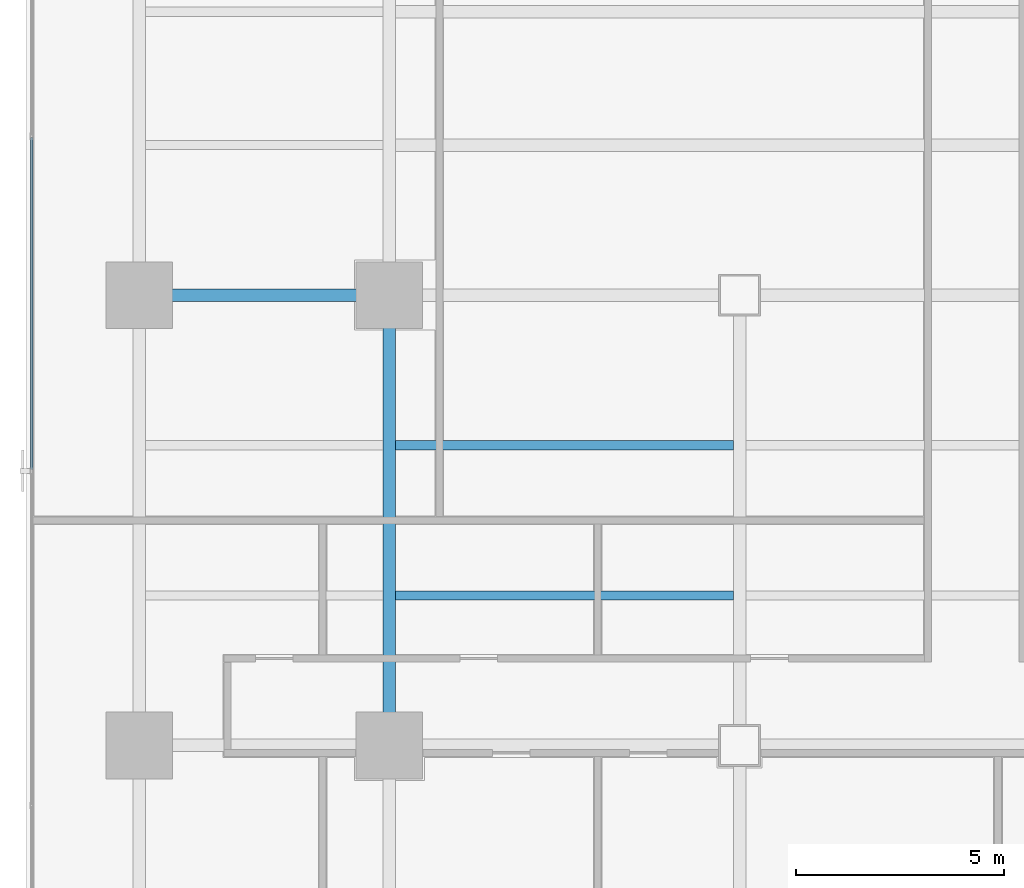
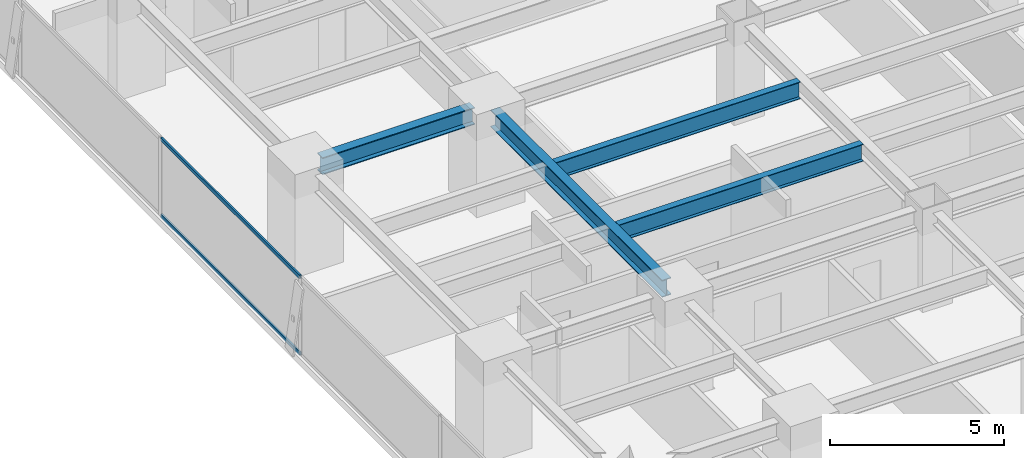
# One storey, part 9 of 34: 4 beams, 2 members, 1 element without a shape of its own.
"""IFC4 building model written with IfcOpenShell, lengths in metres."""

import ifcopenshell
import ifcopenshell.guid

model = None  # the IFC model being written
_history = None  # IfcOwnerHistory: only IFC2X3 demands one
_inside = {}  # id of a spatial element -> (the spatial element, [elements in it])
_under = {}  # id of a project, library or spatial element -> (it, [spatial elements below it])
_declared = {}  # id of a project -> (the project, [libraries it declares])
_typed = {}  # id of a type object -> (the type object, [elements of that type])
_made_of = {}  # id of a material, layer set ... -> (it, [elements and type objects made of it])


def new_model(schema):
    """Start an empty IFC model of exactly this schema.

    Asked for "IFC4X3", IfcOpenShell would pick the latest addendum, in which some entities
    have other attributes; the version numbers below select the first issue.
    IFC2X3 requires an IfcOwnerHistory on every rooted entity: one is made here for all.
    """
    global model, _history
    if schema == "IFC4X3":
        model = ifcopenshell.file(schema_version=(4, 3, 0, 0))
    else:
        model = ifcopenshell.file(schema=schema)
    _inside.clear()
    _under.clear()
    _declared.clear()
    _typed.clear()
    _made_of.clear()
    _history = None
    if model.schema == "IFC2X3":
        org = make("IfcOrganization", Name="unknown")
        user = make(
            "IfcPersonAndOrganization",
            ThePerson=make("IfcPerson", FamilyName="unknown"),
            TheOrganization=org,
        )
        app = make(
            "IfcApplication",
            ApplicationDeveloper=org,
            Version="unknown",
            ApplicationFullName="unknown",
            ApplicationIdentifier="unknown",
        )
        _history = make(
            "IfcOwnerHistory",
            OwningUser=user,
            OwningApplication=app,
            ChangeAction="ADDED",
            CreationDate=0,
        )
    return model


def make(cls, **values):
    """One entity of the class cls with the attributes given. An attribute that is None is left unset."""
    return model.create_entity(
        cls, **{name: value for name, value in values.items() if value is not None}
    )


def rooted(cls, **values):
    """An entity with a GlobalId (a new one), such as an element, a storey or a relation."""
    return make(cls, GlobalId=ifcopenshell.guid.new(), OwnerHistory=_history, **values)


def si_unit(unit_type, name, prefix=None):
    """IfcSIUnit, for example si_unit("LENGTHUNIT", "METRE", prefix="MILLI")."""
    return make("IfcSIUnit", UnitType=unit_type, Prefix=prefix, Name=name)


def assignment(units):
    """IfcUnitAssignment: the units of a project."""
    return None if units is None else make("IfcUnitAssignment", Units=units)


def point(xyz):
    """IfcCartesianPoint."""
    return None if xyz is None else make("IfcCartesianPoint", Coordinates=xyz)


def direction(xyz):
    """IfcDirection."""
    return None if xyz is None else make("IfcDirection", DirectionRatios=xyz)


def frame(location, z_axis=None, x_axis=None):
    """IfcAxis2Placement3D, a coordinate frame: its origin and axes. An axis left out is left unset."""
    return make(
        "IfcAxis2Placement3D",
        Location=point(location),
        Axis=direction(z_axis),
        RefDirection=direction(x_axis),
    )


def frame_2d(location, x_axis=None):
    """IfcAxis2Placement2D, a coordinate frame in the plane: its origin and x axis."""
    return make(
        "IfcAxis2Placement2D", Location=point(location), RefDirection=direction(x_axis)
    )


def origin():
    """The frame at (0, 0, 0) with its axes left unset."""
    return frame((0.0, 0.0, 0.0))


def origin_2d():
    """The frame at (0, 0) in the plane with its x axis left unset."""
    return frame_2d((0.0, 0.0))


def place(relative_to, where):
    """IfcLocalPlacement: puts the frame where relative to a parent placement (None: the world)."""
    return make(
        "IfcLocalPlacement", PlacementRelTo=relative_to, RelativePlacement=where
    )


def context(
    kind, dimensions, precision=None, world=None, true_north=None, identifier=None
):
    """IfcGeometricRepresentationContext, for example the 3D "Model" context."""
    return make(
        "IfcGeometricRepresentationContext",
        ContextIdentifier=identifier,
        ContextType=kind,
        CoordinateSpaceDimension=dimensions,
        Precision=precision,
        WorldCoordinateSystem=world,
        TrueNorth=true_north,
    )


def subcontext(parent, identifier, kind, view, scale=None):
    """IfcGeometricRepresentationSubContext, for example "Body" below "Model"."""
    return make(
        "IfcGeometricRepresentationSubContext",
        ContextIdentifier=identifier,
        ContextType=kind,
        ParentContext=parent,
        TargetScale=scale,
        TargetView=view,
    )


def project(units=None, contexts=None):
    """IfcProject with its units and contexts."""
    return rooted(
        "IfcProject",
        Name="project",
        RepresentationContexts=contexts,
        UnitsInContext=assignment(units),
    )


def spatial(cls, under=None, at=None, **own):
    """A site, building, storey or space (cls), placed at a placement, below another one or the project."""
    s = rooted(cls, ObjectPlacement=at, **own)
    if under is not None:
        _under.setdefault(under.id(), (under, []))[1].append(s)
    return s


def profile(cls, at=None, kind="AREA", **sizes):
    """A parametric profile (cls). Its sizes go by their IFC names, for example OverallWidth=200.0."""
    return make(cls, ProfileType=kind, Position=at, **sizes)


def hollow_rectangle(**sizes):
    """IfcRectangleHollowProfileDef."""
    return profile("IfcRectangleHollowProfileDef", **sizes)


def i_section(**sizes):
    """IfcIShapeProfileDef."""
    return profile("IfcIShapeProfileDef", **sizes)


def extrude(swept, where, along, depth):
    """IfcExtrudedAreaSolid: the profile swept, set in the frame where, extruded along a direction by depth."""
    return make(
        "IfcExtrudedAreaSolid",
        SweptArea=swept,
        Position=where,
        ExtrudedDirection=direction(along),
        Depth=depth,
    )


def shape(context_of_items, identifier, shape_type, items):
    """IfcShapeRepresentation: the items that make up one representation, for example the "Body"."""
    return make(
        "IfcShapeRepresentation",
        ContextOfItems=context_of_items,
        RepresentationIdentifier=identifier,
        RepresentationType=shape_type,
        Items=items,
    )


def source(mapping_origin, context_of_items, identifier, shape_type, items):
    """IfcRepresentationMap: a shape defined once, which mapped items show again and again."""
    return make(
        "IfcRepresentationMap",
        MappingOrigin=mapping_origin,
        MappedRepresentation=shape(context_of_items, identifier, shape_type, items),
    )


def transform(
    local_origin,
    x_axis=None,
    y_axis=None,
    z_axis=None,
    scale=None,
    scale2=None,
    scale3=None,
    uniform=True,
):
    """IfcCartesianTransformationOperator3D, or its non-uniform kind. x_axis, y_axis, z_axis: its Axis1, 2, 3."""
    if uniform:
        return make(
            "IfcCartesianTransformationOperator3D",
            Axis1=direction(x_axis),
            Axis2=direction(y_axis),
            LocalOrigin=point(local_origin),
            Scale=scale,
            Axis3=direction(z_axis),
        )
    return make(
        "IfcCartesianTransformationOperator3DnonUniform",
        Axis1=direction(x_axis),
        Axis2=direction(y_axis),
        LocalOrigin=point(local_origin),
        Scale=scale,
        Axis3=direction(z_axis),
        Scale2=scale2,
        Scale3=scale3,
    )


def mapped(mapping_source, mapping_target):
    """IfcMappedItem: shows the shape of a source again, moved by a transform."""
    return make(
        "IfcMappedItem", MappingSource=mapping_source, MappingTarget=mapping_target
    )


def material(Name=None, Category=None):
    """IfcMaterial."""
    return make("IfcMaterial", Name=Name, Category=Category)


def layer(
    of_material, thickness, ventilated=None, Name=None, Category=None, Priority=None
):
    """IfcMaterialLayer: one layer of a wall or slab, of a material (None: an air gap)."""
    return make(
        "IfcMaterialLayer",
        Material=of_material,
        LayerThickness=thickness,
        IsVentilated=ventilated,
        Name=Name,
        Category=Category,
        Priority=Priority,
    )


def layer_set(layers, Name=None):
    """IfcMaterialLayerSet."""
    return make("IfcMaterialLayerSet", MaterialLayers=layers, LayerSetName=Name)


def material_profile(
    of_material, cross_section, Name=None, Category=None, Priority=None
):
    """IfcMaterialProfile: a cross section and its material."""
    return make(
        "IfcMaterialProfile",
        Name=Name,
        Material=of_material,
        Profile=cross_section,
        Priority=Priority,
        Category=Category,
    )


def profile_set(profiles, Name=None, composite=None):
    """IfcMaterialProfileSet."""
    return make(
        "IfcMaterialProfileSet",
        Name=Name,
        MaterialProfiles=profiles,
        CompositeProfile=composite,
    )


def made_of(thing, what):
    """Note that an element or type object is made of a material, layer set ...; save() writes the relation."""
    if what is not None:
        _made_of.setdefault(what.id(), (what, []))[1].append(thing)
    return thing


def type_object(cls, material=None, **own):
    """A type object (cls), such as IfcWallType, which elements share."""
    return made_of(rooted(cls, **own), material)


def element(
    cls,
    number,
    at=None,
    inside=None,
    cuts=None,
    type_object=None,
    material=None,
    context=None,
    identifier="Body",
    shape_type=None,
    held_by="IfcProductDefinitionShape",
    body=None,
    shapes=None,
    **own,
):
    """One element of the class cls, such as IfcWall. Its Tag is "e" and its number.

    at: its placement. inside: the storey or other place that contains it. cuts: it is an
    opening in that element (IfcRelVoidsElement). A single representation is given by context,
    identifier, shape_type and body (its items); several are given by shapes. held_by: the class
    of the entity that holds the representations. save() writes the other relations.
    """
    e = rooted(cls, Tag="e%d" % number, ObjectPlacement=at, **own)
    if body is not None:
        shapes = [shape(context, identifier, shape_type, body)]
    if shapes is not None:
        e.Representation = make(held_by, Representations=shapes)
    if inside is not None:
        _inside.setdefault(inside.id(), (inside, []))[1].append(e)
    if cuts is not None:
        rooted(
            "IfcRelVoidsElement", RelatingBuildingElement=cuts, RelatedOpeningElement=e
        )
    if type_object is not None:
        _typed.setdefault(type_object.id(), (type_object, []))[1].append(e)
    return made_of(e, material)


def aggregate(whole, parts):
    """IfcRelAggregates: a whole, such as a stair, and the parts it consists of."""
    return rooted("IfcRelAggregates", RelatingObject=whole, RelatedObjects=parts)


def save(model, path):
    """Write the relations noted so far, then the file.

    IfcRelAggregates (storeys below a building ...), IfcRelContainedInSpatialStructure (elements
    in a storey), IfcRelDefinesByType, IfcRelAssociatesMaterial and IfcRelDeclares: one each for
    every whole, place, type object, material and project.
    """
    for whole, parts in _under.values():
        aggregate(whole, parts)
    for where, things in _inside.values():
        rooted(
            "IfcRelContainedInSpatialStructure",
            RelatedElements=things,
            RelatingStructure=where,
        )
    for kind, things in _typed.values():
        rooted("IfcRelDefinesByType", RelatedObjects=things, RelatingType=kind)
    for what, things in _made_of.values():
        rooted("IfcRelAssociatesMaterial", RelatedObjects=things, RelatingMaterial=what)
    for by, libraries in _declared.values():
        rooted("IfcRelDeclares", RelatingContext=by, RelatedDefinitions=libraries)
    model.write(path)


model = new_model("IFC4")

# Units and contexts
model_context = context("Model", 3, precision=1e-05, world=origin(), true_north=direction((0.0, 1.0)))
body_context = subcontext(model_context, "Body", "Model", "MODEL_VIEW")
ifc_project = project(units=[si_unit("LENGTHUNIT", "METRE"), si_unit("AREAUNIT", "SQUARE_METRE"), si_unit("VOLUMEUNIT", "CUBIC_METRE"), si_unit("PLANEANGLEUNIT", "RADIAN"), si_unit("MASSUNIT", "GRAM", prefix="KILO")], contexts=[model_context])

# Site, building, storey
site_placement = place(None, origin())
site = spatial("IfcSite", under=ifc_project, at=site_placement, CompositionType="ELEMENT")
building_placement = place(site_placement, origin())
building = spatial("IfcBuilding", under=site, at=building_placement, Name="Sumidabori Civic Tower", CompositionType="ELEMENT")
storey_placement = place(building_placement, frame((0.0, 0.0, 106.39990234375)))
storey = spatial("IfcBuildingStorey", under=building, at=storey_placement, Name="L27", CompositionType="ELEMENT", Elevation=106.39990234375)

# Beams
ifc_material_1 = material(Name="Steel SN490", Category="steel")
ifc_material_profile_1 = material_profile(ifc_material_1, i_section(OverallWidth=0.300048828125, OverallDepth=0.60009765625, WebThickness=0.015380859375, FlangeThickness=0.030029296875, at=origin_2d()), Name="HE 600 B")
ifc_profile_set_1 = profile_set([ifc_material_profile_1], Name="Steel SN490")
beam_type_1 = type_object("IfcBeamType", Name="BM-GIRD-600", PredefinedType="BEAM", material=ifc_profile_set_1)
shared_shape_1 = source(origin(), body_context, "Body", "SweptSolid", [
    extrude(i_section(OverallWidth=0.300048828125, OverallDepth=0.60009765625, WebThickness=0.015380859375, FlangeThickness=0.030029296875, at=origin_2d()), origin(), (0.0, 0.0, 1.0), 5.0400390625),
])
beam_1_placement = place(storey_placement, frame((-22.320068359375, 0.0, 3.06005859375), z_axis=(1.0, 0.0, 0.0), x_axis=(0.0, 1.0, 0.0)))
element("IfcBeam", 1, at=beam_1_placement, inside=storey, type_object=beam_type_1, Name="Primary Girder L27 GX-13", PredefinedType="BEAM", context=body_context, shape_type="MappedRepresentation", body=[
    mapped(shared_shape_1, transform((0.0, 0.0, 0.0), x_axis=(1.0, 0.0, 0.0), y_axis=(0.0, 1.0, 0.0), z_axis=(0.0, 0.0, 1.0), scale=1.0)),
])
shared_shape_2 = source(origin(), body_context, "Body", "SweptSolid", [
    extrude(i_section(OverallWidth=0.300048828125, OverallDepth=0.60009765625, WebThickness=0.015380859375, FlangeThickness=0.030029296875, at=origin_2d()), origin(), (0.0, 0.0, 1.0), 9.840087890625),
])
beam_2_placement = place(storey_placement, frame((-16.800048828125, -10.320068359375, 3.06005859375), z_axis=(0.0, 1.0, 0.0), x_axis=(-1.0, 0.0, 0.0)))
element("IfcBeam", 2, at=beam_2_placement, inside=storey, type_object=beam_type_1, Name="Primary Girder L27 GY-26", PredefinedType="BEAM", context=body_context, shape_type="MappedRepresentation", body=[
    mapped(shared_shape_2, transform((0.0, 0.0, 0.0), x_axis=(1.0, 0.0, 0.0), y_axis=(0.0, 1.0, 0.0), z_axis=(0.0, 0.0, 1.0), scale=1.0)),
])
ifc_material_profile_2 = material_profile(ifc_material_1, i_section(OverallWidth=0.219970703125, OverallDepth=0.60009765625, WebThickness=0.011962890625, FlangeThickness=0.01904296875, at=origin_2d()), Name="IPE 600")
ifc_profile_set_2 = profile_set([ifc_material_profile_2], Name="Steel SN490")
beam_type_2 = type_object("IfcBeamType", Name="BM-JST-600", PredefinedType="JOIST", material=ifc_profile_set_2)
shared_shape_3 = source(origin(), body_context, "Body", "SweptSolid", [
    extrude(i_section(OverallWidth=0.219970703125, OverallDepth=0.60009765625, WebThickness=0.011962890625, FlangeThickness=0.01904296875, at=origin_2d()), origin(), (0.0, 0.0, 1.0), 8.099853515625),
])
for number, where, z_axis, x_axis, name in (
    (3, (-16.64990234375, -7.199951171875, 3.06005859375), (1.0, 0.0, 0.0), (0.0, 1.0, 0.0), "South Bay Floor Joist L27 JSTS-59"),
    (4, (-16.64990234375, -3.60009765625, 3.06005859375), (1.0, 0.0, 0.0), (0.0, 1.0, 0.0), "South Bay Floor Joist L27 JSTS-63"),
):
    element("IfcBeam", number, at=place(storey_placement, frame(where, z_axis=z_axis, x_axis=x_axis)), inside=storey, type_object=beam_type_2, Name=name, PredefinedType="JOIST", context=body_context, shape_type="MappedRepresentation", body=[
        mapped(shared_shape_3, transform((0.0, 0.0, 0.0), x_axis=(1.0, 0.0, 0.0), y_axis=(0.0, 1.0, 0.0), z_axis=(0.0, 0.0, 1.0), scale=1.0)),
    ])

# Curtain wall, members
ifc_material_2 = material(Name="Anodised Bronze Aluminium AW-6063-T6", Category="aluminium")
ifc_layer = layer(ifc_material_2, 0.179931640625, Name="Anodised Bronze Aluminium AW-6063-T6")
ifc_layer_set = layer_set([ifc_layer], Name="Anodised Bronze Aluminium AW-6063-T6")
curtain_wall_type = type_object("IfcCurtainWallType", Name="CW-SYS-3", PredefinedType="NOTDEFINED", material=ifc_layer_set)
curtain_wall_placement = place(storey_placement, origin())
curtain_wall = element("IfcCurtainWall", 5, at=curtain_wall_placement, inside=storey, type_object=curtain_wall_type, Name="Curtain Wall CW:L27:R10", PredefinedType="NOTDEFINED")
ifc_material_profile_3 = material_profile(ifc_material_2, hollow_rectangle(XDim=0.06005859375, YDim=0.1298828125, WallThickness=0.0048828125, at=origin_2d()), Name="ALU TRANSOM 130x60")
ifc_profile_set_3 = profile_set([ifc_material_profile_3], Name="Anodised Bronze Aluminium AW-6063-T6")
member_type = type_object("IfcMemberType", Name="CW-TRN-130", PredefinedType="USERDEFINED", material=ifc_profile_set_3)
shared_shape_4 = source(origin(), body_context, "Body", "SweptSolid", [
    extrude(hollow_rectangle(XDim=0.06005859375, YDim=0.1298828125, WallThickness=0.0048828125, at=origin_2d()), origin(), (0.0, 0.0, 1.0), 7.962890625),
])
member_1_placement = place(storey_placement, frame((-25.3798828125, 3.781494140625, 0.030029296875), z_axis=(0.0, -1.0, 0.0), x_axis=(1.0, 0.0, 0.0)))
member_1 = element("IfcMember", 6, at=member_1_placement, type_object=member_type, Name="CW-3 transom 3.1", ObjectType="TRANSOM", PredefinedType="USERDEFINED", context=body_context, shape_type="MappedRepresentation", body=[
    mapped(shared_shape_4, transform((0.0, 0.0, 0.0), x_axis=(1.0, 0.0, 0.0), y_axis=(0.0, 1.0, 0.0), z_axis=(0.0, 0.0, 1.0), scale=1.0)),
])
member_2_placement = place(storey_placement, frame((-25.3798828125, 3.781494140625, 2.710205078125), z_axis=(0.0, -1.0, 0.0), x_axis=(1.0, 0.0, 0.0)))
member_2 = element("IfcMember", 7, at=member_2_placement, type_object=member_type, Name="CW-3 transom 3.2", ObjectType="TRANSOM", PredefinedType="USERDEFINED", context=body_context, shape_type="MappedRepresentation", body=[
    mapped(shared_shape_4, transform((0.0, 0.0, 0.0), x_axis=(1.0, 0.0, 0.0), y_axis=(0.0, 1.0, 0.0), z_axis=(0.0, 0.0, 1.0), scale=1.0)),
])
aggregate(curtain_wall, [member_1, member_2])

save(model, "model.ifc")
